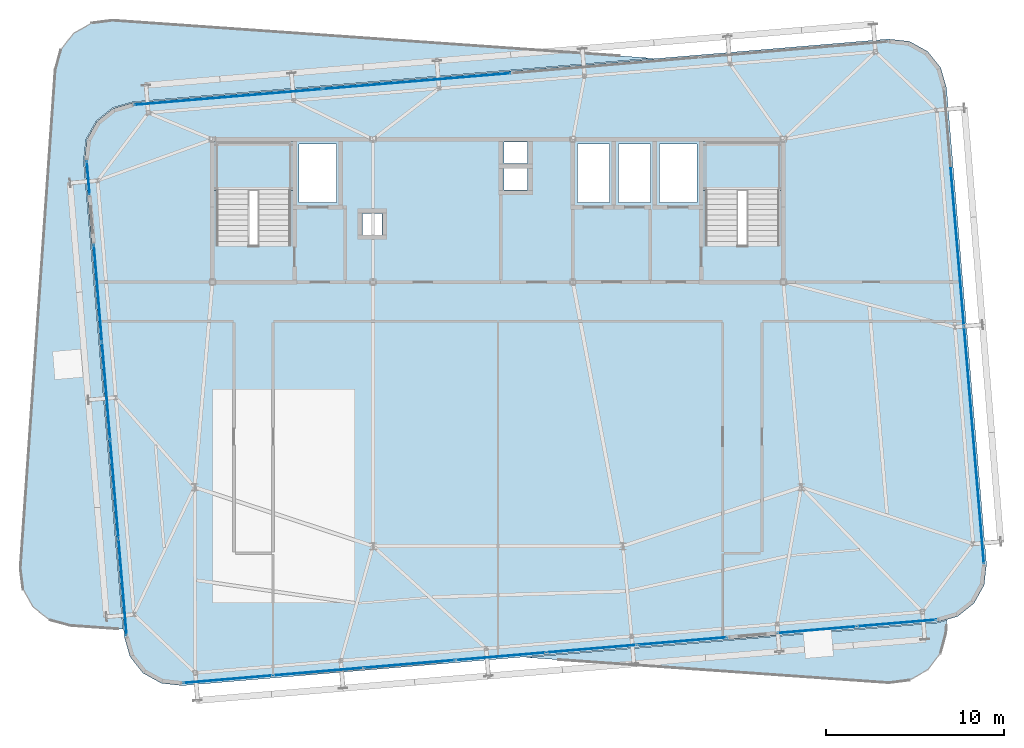
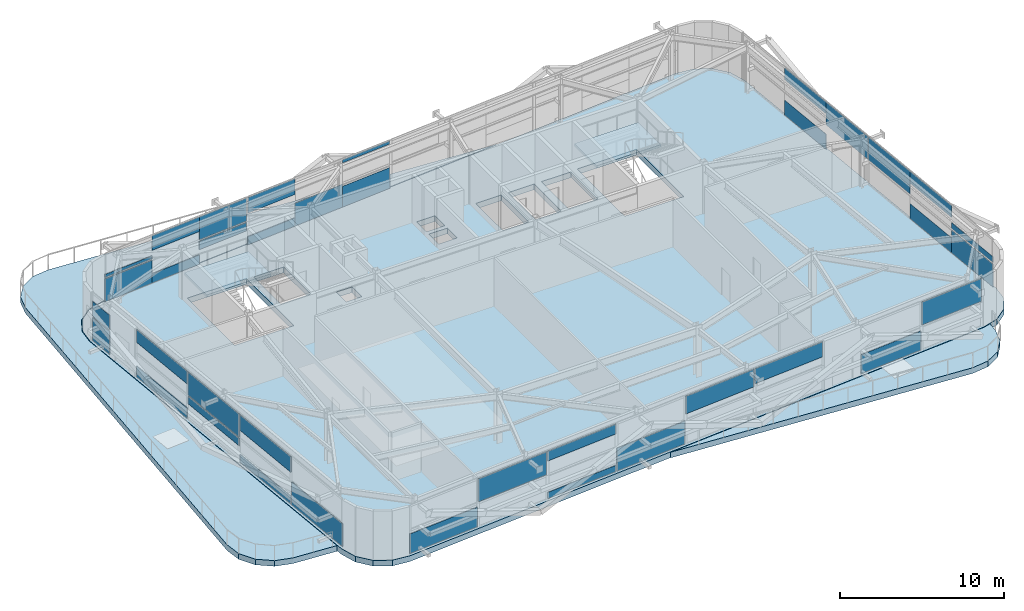
# One storey, part 23 of 38: 37 plates, 5 slabs, 14 elements without a shape of their own.
"""IFC4 building model written with IfcOpenShell, lengths in metres."""

from ifc_helpers import new_model, si_unit, direction, frame, origin, origin_2d, place, context, subcontext, project, spatial, polyline, rectangle, outline, extrude, source, transform, mapped, material, layer, layer_set, type_object, element, aggregate, save


model = new_model("IFC4")

# Units and contexts
model_context = context("Model", 3, precision=1e-05, world=origin(), true_north=direction((0.0, 1.0)))
body_context = subcontext(model_context, "Body", "Model", "MODEL_VIEW")
ifc_project = project(units=[si_unit("LENGTHUNIT", "METRE"), si_unit("AREAUNIT", "SQUARE_METRE"), si_unit("VOLUMEUNIT", "CUBIC_METRE"), si_unit("PLANEANGLEUNIT", "RADIAN"), si_unit("MASSUNIT", "GRAM", prefix="KILO")], contexts=[model_context])

# Site, building, storey
site_placement = place(None, origin())
site = spatial("IfcSite", under=ifc_project, at=site_placement, CompositionType="ELEMENT")
building_placement = place(site_placement, origin())
building = spatial("IfcBuilding", under=site, at=building_placement, Name="Taldren Reach Tower", CompositionType="ELEMENT")
storey_placement = place(building_placement, frame((0.0, 0.0, 168.699951171875)))
storey = spatial("IfcBuildingStorey", under=building, at=storey_placement, Name="L51", CompositionType="ELEMENT", Elevation=168.699951171875)

# Stair, slab
ifc_material_1 = material(Name="Concrete S50 (50 MPa)", Category="concrete")
stair_type = type_object("IfcStairType", Name="ST-HT-385", PredefinedType="HALF_TURN_STAIR", material=ifc_material_1)
stair_1_placement = place(storey_placement, origin())
stair_1 = element("IfcStair", 1, at=stair_1_placement, inside=storey, type_object=stair_type, Name="Fire-isolated exit stair ST1 L51", PredefinedType="HALF_TURN_STAIR")
ifc_layer_1 = layer(ifc_material_1, 0.179931640625)
ifc_layer_set_1 = layer_set([ifc_layer_1], Name="Concrete S50 (50 MPa)")
slab_type_1 = type_object("IfcSlabType", Name="SL-LAND-180", PredefinedType="LANDING", material=ifc_layer_set_1)
slab_1_placement = place(storey_placement, frame((0.0, 0.0, 1.7451171875)))
slab_1 = element("IfcSlab", 2, at=slab_1_placement, type_object=slab_type_1, Name="ST1 landing 1", PredefinedType="LANDING", context=body_context, shape_type="SweptSolid", body=[
    extrude(outline(polyline([(19.0400390625, 29.135009765625), (23.56005859375, 29.135009765625), (23.56005859375, 31.8701171875), (19.0400390625, 31.8701171875), (19.0400390625, 29.135009765625)])), origin(), (0.0, 0.0, 1.0), 0.179931640625),
])
aggregate(stair_1, [slab_1])

stair_2_placement = place(storey_placement, origin())
stair_2 = element("IfcStair", 3, at=stair_2_placement, inside=storey, type_object=stair_type, Name="Fire-isolated exit stair ST2 L51", PredefinedType="HALF_TURN_STAIR")
slab_2_placement = place(storey_placement, frame((0.0, 0.0, 1.7451171875)))
slab_2 = element("IfcSlab", 4, at=slab_2_placement, type_object=slab_type_1, Name="ST2 landing 1", PredefinedType="LANDING", context=body_context, shape_type="SweptSolid", body=[
    extrude(outline(polyline([(46.43994140625, 29.135009765625), (50.9599609375, 29.135009765625), (50.9599609375, 31.8701171875), (46.43994140625, 31.8701171875), (46.43994140625, 29.135009765625)])), origin(), (0.0, 0.0, 1.0), 0.179931640625),
])
aggregate(stair_2, [slab_2])

# Slabs
ifc_layer_2 = layer(ifc_material_1, 0.419921875)
ifc_layer_set_2 = layer_set([ifc_layer_2], Name="Concrete S50 (50 MPa)")
slab_type_2 = type_object("IfcSlabType", Name="SL-TERR-420", PredefinedType="FLOOR", material=ifc_layer_set_2)
slab_3_placement = place(storey_placement, frame((0.0, 0.0, -0.419921875)))
element("IfcSlab", 5, at=slab_3_placement, inside=storey, type_object=slab_type_2, Name="Planted setback sky terrace L51-1", PredefinedType="FLOOR", context=body_context, shape_type="SweptSolid", body=[
    extrude(outline(polyline([(9.890869140625, 5.0537109375), (8.96533203125, 5.770263671875), (8.384521484375, 6.78662109375), (8.23681640625, 7.94775390625), (10.18994140625, 35.879638671875), (10.497802734375, 37.0087890625), (11.21435546875, 37.934326171875), (12.230712890625, 38.515380859375), (13.391845703125, 38.6630859375), (43.71044921875, 36.54296875), (14.5498046875, 34.09423828125), (14.546875, 34.09375), (14.5439453125, 34.09326171875), (13.4189453125, 33.76953125), (13.416259765625, 33.7685546875), (13.41357421875, 33.767333984375), (13.410888671875, 33.765869140625), (13.40869140625, 33.76416015625), (12.4931640625, 33.03466796875), (12.490966796875, 33.03271484375), (12.489013671875, 33.030517578125), (12.487060546875, 33.0283203125), (12.485595703125, 33.025634765625), (11.9189453125, 32.00146484375), (11.917724609375, 31.998779296875), (11.916748046875, 31.99609375), (11.916015625, 31.9931640625), (11.91552734375, 31.990234375), (11.783935546875, 30.8271484375), (11.78369140625, 30.82421875), (11.783935546875, 30.8212890625), (13.990966796875, 4.5380859375), (11.020263671875, 4.745849609375), (9.890869140625, 5.0537109375)])), origin(), (0.0, 0.0, 1.0), 0.419921875),
])
slab_4_placement = place(storey_placement, frame((0.0, 0.0, -0.419921875)))
element("IfcSlab", 6, at=slab_4_placement, inside=storey, type_object=slab_type_2, Name="Planted setback sky terrace L51-2", PredefinedType="FLOOR", context=body_context, shape_type="SweptSolid", body=[
    extrude(outline(polyline([(59.80224609375, 3.191162109375), (59.08544921875, 2.265625), (58.0693359375, 1.684814453125), (56.908203125, 1.537109375), (36.514892578125, 2.963134765625), (59.650390625, 4.90576171875), (59.6533203125, 4.90625), (59.656005859375, 4.90673828125), (60.1611328125, 5.05224609375), (60.110107421875, 4.3203125), (59.80224609375, 3.191162109375)])), origin(), (0.0, 0.0, 1.0), 0.419921875),
])
ifc_material_2 = material(Name="Concrete S65 (65 MPa)", Category="concrete")
ifc_layer_3 = layer(ifc_material_2, 0.419921875)
ifc_layer_set_3 = layer_set([ifc_layer_3], Name="Concrete S65 (65 MPa)")
slab_type_3 = type_object("IfcSlabType", Name="SL-TRANS-420", PredefinedType="FLOOR", material=ifc_layer_set_3)
slab_5_placement = place(storey_placement, frame((0.0, 0.0, -0.419921875)))
element("IfcSlab", 7, at=slab_5_placement, inside=storey, type_object=slab_type_3, Name="Suspended floor slab L51", PredefinedType="FLOOR", context=body_context, shape_type="SweptSolid", body=[
    extrude(outline(polyline([(59.647705078125, 4.935791015625), (60.772705078125, 5.25927734375), (61.688232421875, 5.98876953125), (62.254638671875, 7.012939453125), (62.38623046875, 8.17626953125), (60.1435546875, 34.882080078125), (59.820068359375, 36.007080078125), (59.090576171875, 36.922607421875), (58.06640625, 37.4892578125), (56.903076171875, 37.62060546875), (14.55224609375, 34.064208984375), (13.42724609375, 33.74072265625), (12.511962890625, 33.01123046875), (11.9453125, 31.987060546875), (11.813720703125, 30.82373046875), (14.056396484375, 4.117919921875), (14.3798828125, 2.992919921875), (15.109375, 2.077392578125), (16.1337890625, 1.5107421875), (17.296875, 1.37939453125), (59.647705078125, 4.935791015625)]), holes=[polyline([(19.219970703125, 26.050048828125), (23.3798828125, 26.050048828125), (23.3798828125, 31.820068359375), (19.219970703125, 31.820068359375), (19.219970703125, 26.050048828125)]), polyline([(46.6201171875, 26.050048828125), (50.780029296875, 26.050048828125), (50.780029296875, 31.820068359375), (46.6201171875, 31.820068359375), (46.6201171875, 26.050048828125)]), polyline([(23.85009765625, 28.449951171875), (25.949951171875, 28.449951171875), (25.949951171875, 31.75), (23.85009765625, 31.75), (23.85009765625, 28.449951171875)]), polyline([(44.050048828125, 28.449951171875), (46.14990234375, 28.449951171875), (46.14990234375, 31.75), (44.050048828125, 31.75), (44.050048828125, 28.449951171875)]), polyline([(39.449951171875, 28.449951171875), (41.25, 28.449951171875), (41.25, 31.75), (39.449951171875, 31.75), (39.449951171875, 28.449951171875)]), polyline([(41.75, 28.449951171875), (43.550048828125, 28.449951171875), (43.550048828125, 31.75), (41.75, 31.75), (41.75, 28.449951171875)]), polyline([(35.35009765625, 30.64990234375), (36.64990234375, 30.64990234375), (36.64990234375, 31.85009765625), (35.35009765625, 31.85009765625), (35.35009765625, 30.64990234375)]), polyline([(35.35009765625, 29.14990234375), (36.64990234375, 29.14990234375), (36.64990234375, 30.35009765625), (35.35009765625, 30.35009765625), (35.35009765625, 29.14990234375)]), polyline([(27.39990234375, 26.64990234375), (28.5, 26.64990234375), (28.5, 27.85009765625), (27.39990234375, 27.85009765625), (27.39990234375, 26.64990234375)])]), origin(), (0.0, 0.0, 1.0), 0.419921875),
])

# Curtain wall, plate
ifc_material_3 = material(Name="Aluminium and Low-E Glass Unitised System", Category="aluminium")
ifc_layer_4 = layer(ifc_material_3, 0.159912109375)
ifc_layer_set_4 = layer_set([ifc_layer_4], Name="Aluminium and Low-E Glass Unitised System")
curtain_wall_type = type_object("IfcCurtainWallType", Name="CW-SYS-7", PredefinedType="NOTDEFINED", material=ifc_layer_set_4)
curtain_wall_1_placement = place(storey_placement, origin())
curtain_wall_1 = element("IfcCurtainWall", 8, at=curtain_wall_1_placement, inside=storey, type_object=curtain_wall_type, Name="Unitised curtain wall CW-L51-S1", PredefinedType="NOTDEFINED")
ifc_material_4 = material(Name="Acoustic Triple-Laminated IGU", Category="glass")
ifc_layer_5 = layer(ifc_material_4, 0.035888671875)
ifc_layer_set_5 = layer_set([ifc_layer_5], Name="Acoustic Triple-Laminated IGU")
plate_type = type_object("IfcPlateType", Name="CW-PNL-IGU36", PredefinedType="CURTAIN_PANEL", material=ifc_layer_set_5)
shared_shape_1 = source(origin(), body_context, "Body", "SweptSolid", [
    extrude(rectangle(XDim=5.0478515625, YDim=0.035888671875, at=origin_2d()), origin(), (0.0, 0.0, 1.0), 1.695068359375),
])
plate_1_placement = place(storey_placement, frame((35.15234375, 3.019287109375, 0.06005859375), z_axis=(0.0, 0.0, 1.0), x_axis=(0.996492853205, 0.083677915318, 0.0)))
plate_1 = element("IfcPlate", 9, at=plate_1_placement, type_object=plate_type, Name="CW-7 panel 4.1", PredefinedType="CURTAIN_PANEL", context=body_context, shape_type="MappedRepresentation", body=[
    mapped(shared_shape_1, transform((0.0, 0.0, 0.0), scale=1.0)),
])

curtain_wall_2_placement = place(storey_placement, origin())
curtain_wall_2 = element("IfcCurtainWall", 10, at=curtain_wall_2_placement, inside=storey, type_object=curtain_wall_type, Name="Unitised curtain wall CW-L51-S1-T2", PredefinedType="NOTDEFINED")
plate_2_placement = place(storey_placement, frame((24.942626953125, 2.161865234375, 1.875), z_axis=(0.0, 0.0, 1.0), x_axis=(0.996492853205, 0.083677915318, 0.0)))
plate_2 = element("IfcPlate", 11, at=plate_2_placement, type_object=plate_type, Name="CW-7 panel 2.1", PredefinedType="CURTAIN_PANEL", context=body_context, shape_type="MappedRepresentation", body=[
    mapped(shared_shape_1, transform((0.0, 0.0, 0.0), scale=1.0)),
])

curtain_wall_3_placement = place(storey_placement, origin())
curtain_wall_3 = element("IfcCurtainWall", 12, at=curtain_wall_3_placement, inside=storey, type_object=curtain_wall_type, Name="Unitised curtain wall CW-L51-S2-T2", PredefinedType="NOTDEFINED")
shared_shape_2 = source(origin(), body_context, "Body", "SweptSolid", [
    extrude(rectangle(XDim=4.418701171875, YDim=0.035888671875, at=origin_2d()), origin(), (0.0, 0.0, 1.0), 1.695068359375),
])
plate_3_placement = place(storey_placement, frame((57.359619140625, 4.884033203125, 1.875), z_axis=(0.0, 0.0, 1.0), x_axis=(0.996492858388, 0.083677853594, 0.0)))
plate_3 = element("IfcPlate", 13, at=plate_3_placement, type_object=plate_type, Name="CW-7 panel 2.1", PredefinedType="CURTAIN_PANEL", context=body_context, shape_type="MappedRepresentation", body=[
    mapped(shared_shape_2, transform((0.0, 0.0, 0.0), scale=1.0)),
])
aggregate(curtain_wall_3, [plate_3])

curtain_wall_4_placement = place(storey_placement, origin())
curtain_wall_4 = element("IfcCurtainWall", 14, at=curtain_wall_4_placement, inside=storey, type_object=curtain_wall_type, Name="Unitised curtain wall CW-L51-W1", PredefinedType="NOTDEFINED")
shared_shape_3 = source(origin(), body_context, "Body", "SweptSolid", [
    extrude(rectangle(XDim=1.85009765625, YDim=0.035888671875, at=origin_2d()), origin(), (0.0, 0.0, 1.0), 1.695068359375),
])
plate_4_placement = place(storey_placement, frame((12.036865234375, 29.839111328125, 0.06005859375), z_axis=(0.0, 0.0, 1.0), x_axis=(0.083680223317, -0.996492659394, 0.0)))
plate_4 = element("IfcPlate", 15, at=plate_4_placement, type_object=plate_type, Name="CW-7 panel 1.1", PredefinedType="CURTAIN_PANEL", context=body_context, shape_type="MappedRepresentation", body=[
    mapped(shared_shape_3, transform((0.0, 0.0, 0.0), scale=1.0)),
])
aggregate(curtain_wall_4, [plate_4])

curtain_wall_5_placement = place(storey_placement, origin())
curtain_wall_5 = element("IfcCurtainWall", 16, at=curtain_wall_5_placement, inside=storey, type_object=curtain_wall_type, Name="Unitised curtain wall CW-L51-W2", PredefinedType="NOTDEFINED")
shared_shape_4 = source(origin(), body_context, "Body", "SweptSolid", [
    extrude(rectangle(XDim=5.41259765625, YDim=0.035888671875, at=origin_2d()), origin(), (0.0, 0.0, 1.0), 1.695068359375),
])
plate_5_placement = place(storey_placement, frame((13.963134765625, 6.901123046875, 0.06005859375), z_axis=(0.0, 0.0, 1.0), x_axis=(0.083677836428, -0.996492859829, 0.0)))
plate_5 = element("IfcPlate", 17, at=plate_5_placement, type_object=plate_type, Name="CW-7 panel 4.1", PredefinedType="CURTAIN_PANEL", context=body_context, shape_type="MappedRepresentation", body=[
    mapped(shared_shape_4, transform((0.0, 0.0, 0.0), scale=1.0)),
])

curtain_wall_6_placement = place(storey_placement, origin())
curtain_wall_6 = element("IfcCurtainWall", 18, at=curtain_wall_6_placement, inside=storey, type_object=curtain_wall_type, Name="Unitised curtain wall CW-L51-W2-T2", PredefinedType="NOTDEFINED")
shared_shape_5 = source(origin(), body_context, "Body", "SweptSolid", [
    extrude(rectangle(XDim=5.449951171875, YDim=0.035888671875, at=origin_2d()), origin(), (0.0, 0.0, 1.0), 1.695068359375),
])
plate_6_placement = place(storey_placement, frame((13.0400390625, 17.8935546875, 1.875), z_axis=(0.0, 0.0, 1.0), x_axis=(0.083677836428, -0.996492859829, 0.0)))
plate_6 = element("IfcPlate", 19, at=plate_6_placement, type_object=plate_type, Name="CW-7 panel 2.1", PredefinedType="CURTAIN_PANEL", context=body_context, shape_type="MappedRepresentation", body=[
    mapped(shared_shape_5, transform((0.0, 0.0, 0.0), scale=1.0)),
])

# Plate
shared_shape_6 = source(origin(), body_context, "Body", "SweptSolid", [
    extrude(rectangle(XDim=5.010498046875, YDim=0.035888671875, at=origin_2d()), origin(), (0.0, 0.0, 1.0), 1.452392578125),
])
plate_7_placement = place(storey_placement, frame((19.856201171875, 1.73486328125, 0.06005859375), z_axis=(0.0, 0.0, 1.0), x_axis=(0.996492853205, 0.083677915318, 0.0)))
plate_7 = element("IfcPlate", 20, at=plate_7_placement, type_object=plate_type, Name="CW-7 panel 1.1 part 1", PredefinedType="CURTAIN_PANEL", context=body_context, shape_type="MappedRepresentation", body=[
    mapped(shared_shape_6, transform((0.0, 0.0, 0.0), scale=1.0)),
])

shared_shape_7 = source(origin(), body_context, "Body", "SweptSolid", [
    extrude(rectangle(XDim=5.0478515625, YDim=0.035888671875, at=origin_2d()), origin(), (0.0, 0.0, 1.0), 0.4609375),
])
plate_8_placement = place(storey_placement, frame((30.047607421875, 2.590576171875, 0.06005859375), z_axis=(0.0, 0.0, 1.0), x_axis=(0.996492853205, 0.083677915318, 0.0)))
plate_8 = element("IfcPlate", 21, at=plate_8_placement, type_object=plate_type, Name="CW-7 panel 3.1 part 1", PredefinedType="CURTAIN_PANEL", context=body_context, shape_type="MappedRepresentation", body=[
    mapped(shared_shape_7, transform((0.0, 0.0, 0.0), scale=1.0)),
])

aggregate(curtain_wall_1, [plate_1, plate_7, plate_8])

shared_shape_8 = source(origin(), body_context, "Body", "SweptSolid", [
    extrude(rectangle(XDim=5.0478515625, YDim=0.035888671875, at=origin_2d()), origin(), (0.0, 0.0, 1.0), 0.721923828125),
])
plate_9_placement = place(storey_placement, frame((30.047607421875, 2.590576171875, 2.84814453125), z_axis=(0.0, 0.0, 1.0), x_axis=(0.996492853205, 0.083677915318, 0.0)))
plate_9 = element("IfcPlate", 22, at=plate_9_placement, type_object=plate_type, Name="CW-7 panel 3.1 part 1", PredefinedType="CURTAIN_PANEL", context=body_context, shape_type="MappedRepresentation", body=[
    mapped(shared_shape_8, transform((0.0, 0.0, 0.0), scale=1.0)),
])

shared_shape_9 = source(origin(), body_context, "Body", "SweptSolid", [
    extrude(rectangle(XDim=5.0478515625, YDim=0.035888671875, at=origin_2d()), origin(), (0.0, 0.0, 1.0), 1.3115234375),
])
plate_10_placement = place(storey_placement, frame((40.25732421875, 3.447998046875, 2.258544921875), z_axis=(0.0, 0.0, 1.0), x_axis=(0.996492853205, 0.083677915318, 0.0)))
plate_10 = element("IfcPlate", 23, at=plate_10_placement, type_object=plate_type, Name="CW-7 panel 5.1 part 1", PredefinedType="CURTAIN_PANEL", context=body_context, shape_type="MappedRepresentation", body=[
    mapped(shared_shape_9, transform((0.0, 0.0, 0.0), scale=1.0)),
])

shared_shape_10 = source(origin(), body_context, "Body", "SweptSolid", [
    extrude(rectangle(XDim=5.010498046875, YDim=0.035888671875, at=origin_2d()), origin(), (0.0, 0.0, 1.0), 1.11572265625),
])
plate_11_placement = place(storey_placement, frame((45.34375, 3.875, 2.454345703125), z_axis=(0.0, 0.0, 1.0), x_axis=(0.996492853205, 0.083677915318, 0.0)))
plate_11 = element("IfcPlate", 24, at=plate_11_placement, type_object=plate_type, Name="CW-7 panel 6.1 part 1", PredefinedType="CURTAIN_PANEL", context=body_context, shape_type="MappedRepresentation", body=[
    mapped(shared_shape_10, transform((0.0, 0.0, 0.0), scale=1.0)),
])

aggregate(curtain_wall_2, [plate_2, plate_9, plate_10, plate_11])

# Curtain wall, plate
curtain_wall_7_placement = place(storey_placement, origin())
curtain_wall_7 = element("IfcCurtainWall", 25, at=curtain_wall_7_placement, inside=storey, type_object=curtain_wall_type, Name="Unitised curtain wall CW-L51-S2", PredefinedType="NOTDEFINED")
shared_shape_11 = source(origin(), body_context, "Body", "SweptSolid", [
    extrude(rectangle(XDim=4.418701171875, YDim=0.035888671875, at=origin_2d()), origin(), (0.0, 0.0, 1.0), 1.404296875),
])
plate_12_placement = place(storey_placement, frame((52.8818359375, 4.508056640625, 0.06005859375), z_axis=(0.0, 0.0, 1.0), x_axis=(0.996492858388, 0.083677853594, 0.0)))
plate_12 = element("IfcPlate", 26, at=plate_12_placement, type_object=plate_type, Name="CW-7 panel 1.1 part 1", PredefinedType="CURTAIN_PANEL", context=body_context, shape_type="MappedRepresentation", body=[
    mapped(shared_shape_11, transform((0.0, 0.0, 0.0), scale=1.0)),
])
aggregate(curtain_wall_7, [plate_12])

curtain_wall_8_placement = place(storey_placement, origin())
curtain_wall_8 = element("IfcCurtainWall", 27, at=curtain_wall_8_placement, inside=storey, type_object=curtain_wall_type, Name="Unitised curtain wall CW-L51-N", PredefinedType="NOTDEFINED")
shared_shape_12 = source(origin(), body_context, "Body", "SweptSolid", [
    extrude(rectangle(XDim=3.504150390625, YDim=0.035888671875, at=origin_2d()), origin(), (0.0, 0.0, 1.0), 1.695068359375),
])
plate_13_placement = place(storey_placement, frame((16.384521484375, 34.07763671875, 0.06005859375), z_axis=(0.0, 0.0, 1.0), x_axis=(-0.99649285657, -0.083677875247, 0.0)))
plate_13 = element("IfcPlate", 28, at=plate_13_placement, type_object=plate_type, Name="CW-7 panel 4.1 part 3", PredefinedType="CURTAIN_PANEL", context=body_context, shape_type="MappedRepresentation", body=[
    mapped(shared_shape_12, transform((0.0, 0.0, 0.0), scale=1.0)),
])

curtain_wall_9_placement = place(storey_placement, origin())
curtain_wall_9 = element("IfcCurtainWall", 29, at=curtain_wall_9_placement, inside=storey, type_object=curtain_wall_type, Name="Unitised curtain wall CW-L51-N-T2", PredefinedType="NOTDEFINED")
plate_14_placement = place(storey_placement, frame((23.368408203125, 34.6640625, 1.875), z_axis=(0.0, 0.0, 1.0), x_axis=(-0.99649285657, -0.083677875247, 0.0)))
plate_14 = element("IfcPlate", 30, at=plate_14_placement, type_object=plate_type, Name="CW-7 panel 4.1 part 1", PredefinedType="CURTAIN_PANEL", context=body_context, shape_type="MappedRepresentation", body=[
    mapped(shared_shape_12, transform((0.0, 0.0, 0.0), scale=1.0)),
])

# Plate
shared_shape_13 = source(origin(), body_context, "Body", "SweptSolid", [
    extrude(rectangle(XDim=3.5166015625, YDim=0.035888671875, at=origin_2d()), origin(), (0.0, 0.0, 1.0), 1.54150390625),
])
plate_15_placement = place(storey_placement, frame((33.949951171875, 35.552734375, 0.06005859375), z_axis=(0.0, 0.0, 1.0), x_axis=(-0.99649285657, -0.083677875247, 0.0)))
plate_15 = element("IfcPlate", 31, at=plate_15_placement, type_object=plate_type, Name="CW-7 panel 3.1 part 1", PredefinedType="CURTAIN_PANEL", context=body_context, shape_type="MappedRepresentation", body=[
    mapped(shared_shape_13, transform((0.0, 0.0, 0.0), scale=1.0)),
])

shared_shape_14 = source(origin(), body_context, "Body", "SweptSolid", [
    extrude(rectangle(XDim=3.5166015625, YDim=0.035888671875, at=origin_2d()), origin(), (0.0, 0.0, 1.0), 1.695068359375),
])
plate_16_placement = place(storey_placement, frame((30.445556640625, 35.258544921875, 0.06005859375), z_axis=(0.0, 0.0, 1.0), x_axis=(-0.99649285657, -0.083677875247, 0.0)))
plate_16 = element("IfcPlate", 32, at=plate_16_placement, type_object=plate_type, Name="CW-7 panel 3.1 part 2", PredefinedType="CURTAIN_PANEL", context=body_context, shape_type="MappedRepresentation", body=[
    mapped(shared_shape_14, transform((0.0, 0.0, 0.0), scale=1.0)),
])

shared_shape_15 = source(origin(), body_context, "Body", "SweptSolid", [
    extrude(rectangle(XDim=3.5166015625, YDim=0.035888671875, at=origin_2d()), origin(), (0.0, 0.0, 1.0), 0.60595703125),
])
plate_17_placement = place(storey_placement, frame((26.941162109375, 34.964111328125, 0.06005859375), z_axis=(0.0, 0.0, 1.0), x_axis=(-0.99649285657, -0.083677875247, 0.0)))
plate_17 = element("IfcPlate", 33, at=plate_17_placement, type_object=plate_type, Name="CW-7 panel 3.1 part 3", PredefinedType="CURTAIN_PANEL", context=body_context, shape_type="MappedRepresentation", body=[
    mapped(shared_shape_15, transform((0.0, 0.0, 0.0), scale=1.0)),
])

shared_shape_16 = source(origin(), body_context, "Body", "SweptSolid", [
    extrude(rectangle(XDim=3.504150390625, YDim=0.035888671875, at=origin_2d()), origin(), (0.0, 0.0, 1.0), 0.611572265625),
])
plate_18_placement = place(storey_placement, frame((23.368408203125, 34.6640625, 1.1435546875), z_axis=(0.0, 0.0, 1.0), x_axis=(-0.99649285657, -0.083677875247, 0.0)))
plate_18 = element("IfcPlate", 34, at=plate_18_placement, type_object=plate_type, Name="CW-7 panel 4.1 part 1", PredefinedType="CURTAIN_PANEL", context=body_context, shape_type="MappedRepresentation", body=[
    mapped(shared_shape_16, transform((0.0, 0.0, 0.0), scale=1.0)),
])

shared_shape_17 = source(origin(), body_context, "Body", "SweptSolid", [
    extrude(rectangle(XDim=3.504150390625, YDim=0.035888671875, at=origin_2d()), origin(), (0.0, 0.0, 1.0), 0.68798828125),
])
plate_19_placement = place(storey_placement, frame((19.87646484375, 34.370849609375, 0.06005859375), z_axis=(0.0, 0.0, 1.0), x_axis=(-0.99649285657, -0.083677875247, 0.0)))
plate_19 = element("IfcPlate", 35, at=plate_19_placement, type_object=plate_type, Name="CW-7 panel 4.1 part 2", PredefinedType="CURTAIN_PANEL", context=body_context, shape_type="MappedRepresentation", body=[
    mapped(shared_shape_17, transform((0.0, 0.0, 0.0), scale=1.0)),
])

aggregate(curtain_wall_8, [plate_15, plate_16, plate_17, plate_18, plate_19, plate_13])

shared_shape_18 = source(origin(), body_context, "Body", "SweptSolid", [
    extrude(rectangle(XDim=3.5166015625, YDim=0.035888671875, at=origin_2d()), origin(), (0.0, 0.0, 1.0), 0.227294921875),
])
plate_20_placement = place(storey_placement, frame((33.949951171875, 35.552734375, 3.3427734375), z_axis=(0.0, 0.0, 1.0), x_axis=(-0.99649285657, -0.083677875247, 0.0)))
plate_20 = element("IfcPlate", 36, at=plate_20_placement, type_object=plate_type, Name="CW-7 panel 3.1 part 1", PredefinedType="CURTAIN_PANEL", context=body_context, shape_type="MappedRepresentation", body=[
    mapped(shared_shape_18, transform((0.0, 0.0, 0.0), scale=1.0)),
])

shared_shape_19 = source(origin(), body_context, "Body", "SweptSolid", [
    extrude(rectangle(XDim=3.5166015625, YDim=0.035888671875, at=origin_2d()), origin(), (0.0, 0.0, 1.0), 1.162841796875),
])
plate_21_placement = place(storey_placement, frame((26.941162109375, 34.964111328125, 2.4072265625), z_axis=(0.0, 0.0, 1.0), x_axis=(-0.99649285657, -0.083677875247, 0.0)))
plate_21 = element("IfcPlate", 37, at=plate_21_placement, type_object=plate_type, Name="CW-7 panel 3.1 part 2", PredefinedType="CURTAIN_PANEL", context=body_context, shape_type="MappedRepresentation", body=[
    mapped(shared_shape_19, transform((0.0, 0.0, 0.0), scale=1.0)),
])

shared_shape_20 = source(origin(), body_context, "Body", "SweptSolid", [
    extrude(rectangle(XDim=3.504150390625, YDim=0.035888671875, at=origin_2d()), origin(), (0.0, 0.0, 1.0), 1.085693359375),
])
plate_22_placement = place(storey_placement, frame((19.87646484375, 34.370849609375, 2.484375), z_axis=(0.0, 0.0, 1.0), x_axis=(-0.99649285657, -0.083677875247, 0.0)))
plate_22 = element("IfcPlate", 38, at=plate_22_placement, type_object=plate_type, Name="CW-7 panel 4.1 part 2", PredefinedType="CURTAIN_PANEL", context=body_context, shape_type="MappedRepresentation", body=[
    mapped(shared_shape_20, transform((0.0, 0.0, 0.0), scale=1.0)),
])

shared_shape_21 = source(origin(), body_context, "Body", "SweptSolid", [
    extrude(rectangle(XDim=3.504150390625, YDim=0.035888671875, at=origin_2d()), origin(), (0.0, 0.0, 1.0), 0.2138671875),
])
plate_23_placement = place(storey_placement, frame((16.384521484375, 34.07763671875, 1.875), z_axis=(0.0, 0.0, 1.0), x_axis=(-0.99649285657, -0.083677875247, 0.0)))
plate_23 = element("IfcPlate", 39, at=plate_23_placement, type_object=plate_type, Name="CW-7 panel 4.1 part 3", PredefinedType="CURTAIN_PANEL", context=body_context, shape_type="MappedRepresentation", body=[
    mapped(shared_shape_21, transform((0.0, 0.0, 0.0), scale=1.0)),
])

aggregate(curtain_wall_9, [plate_20, plate_21, plate_14, plate_22, plate_23])

# Curtain wall, plate
curtain_wall_10_placement = place(storey_placement, origin())
curtain_wall_10 = element("IfcCurtainWall", 40, at=curtain_wall_10_placement, inside=storey, type_object=curtain_wall_type, Name="Unitised curtain wall CW-L51-W1-T2", PredefinedType="NOTDEFINED")
shared_shape_22 = source(origin(), body_context, "Body", "SweptSolid", [
    extrude(rectangle(XDim=1.85009765625, YDim=0.035888671875, at=origin_2d()), origin(), (0.0, 0.0, 1.0), 1.09814453125),
])
plate_24_placement = place(storey_placement, frame((12.036865234375, 29.839111328125, 1.875), z_axis=(0.0, 0.0, 1.0), x_axis=(0.083680223317, -0.996492659394, 0.0)))
plate_24 = element("IfcPlate", 41, at=plate_24_placement, type_object=plate_type, Name="CW-7 panel 1.1 part 1", PredefinedType="CURTAIN_PANEL", context=body_context, shape_type="MappedRepresentation", body=[
    mapped(shared_shape_22, transform((0.0, 0.0, 0.0), scale=1.0)),
])
aggregate(curtain_wall_10, [plate_24])

# Plate
shared_shape_23 = source(origin(), body_context, "Body", "SweptSolid", [
    extrude(rectangle(XDim=5.41259765625, YDim=0.035888671875, at=origin_2d()), origin(), (0.0, 0.0, 1.0), 0.79345703125),
])
plate_25_placement = place(storey_placement, frame((12.579345703125, 23.380615234375, 0.06005859375), z_axis=(0.0, 0.0, 1.0), x_axis=(0.083677836428, -0.996492859829, 0.0)))
plate_25 = element("IfcPlate", 42, at=plate_25_placement, type_object=plate_type, Name="CW-7 panel 1.1 part 1", PredefinedType="CURTAIN_PANEL", context=body_context, shape_type="MappedRepresentation", body=[
    mapped(shared_shape_23, transform((0.0, 0.0, 0.0), scale=1.0)),
])

shared_shape_24 = source(origin(), body_context, "Body", "SweptSolid", [
    extrude(rectangle(XDim=5.449951171875, YDim=0.035888671875, at=origin_2d()), origin(), (0.0, 0.0, 1.0), 0.539306640625),
])
plate_26_placement = place(storey_placement, frame((13.0400390625, 17.8935546875, 1.2158203125), z_axis=(0.0, 0.0, 1.0), x_axis=(0.083677836428, -0.996492859829, 0.0)))
plate_26 = element("IfcPlate", 43, at=plate_26_placement, type_object=plate_type, Name="CW-7 panel 2.1 part 1", PredefinedType="CURTAIN_PANEL", context=body_context, shape_type="MappedRepresentation", body=[
    mapped(shared_shape_24, transform((0.0, 0.0, 0.0), scale=1.0)),
])

shared_shape_25 = source(origin(), body_context, "Body", "SweptSolid", [
    extrude(rectangle(XDim=5.449951171875, YDim=0.035888671875, at=origin_2d()), origin(), (0.0, 0.0, 1.0), 0.581787109375),
])
plate_27_placement = place(storey_placement, frame((13.50244140625, 12.387939453125, 0.06005859375), z_axis=(0.0, 0.0, 1.0), x_axis=(0.083677836428, -0.996492859829, 0.0)))
plate_27 = element("IfcPlate", 44, at=plate_27_placement, type_object=plate_type, Name="CW-7 panel 3.1 part 1", PredefinedType="CURTAIN_PANEL", context=body_context, shape_type="MappedRepresentation", body=[
    mapped(shared_shape_25, transform((0.0, 0.0, 0.0), scale=1.0)),
])

aggregate(curtain_wall_5, [plate_5, plate_25, plate_26, plate_27])

shared_shape_26 = source(origin(), body_context, "Body", "SweptSolid", [
    extrude(rectangle(XDim=5.41259765625, YDim=0.035888671875, at=origin_2d()), origin(), (0.0, 0.0, 1.0), 0.9462890625),
])
plate_28_placement = place(storey_placement, frame((12.579345703125, 23.380615234375, 2.623779296875), z_axis=(0.0, 0.0, 1.0), x_axis=(0.083677836428, -0.996492859829, 0.0)))
plate_28 = element("IfcPlate", 45, at=plate_28_placement, type_object=plate_type, Name="CW-7 panel 1.1 part 1", PredefinedType="CURTAIN_PANEL", context=body_context, shape_type="MappedRepresentation", body=[
    mapped(shared_shape_26, transform((0.0, 0.0, 0.0), scale=1.0)),
])

shared_shape_27 = source(origin(), body_context, "Body", "SweptSolid", [
    extrude(rectangle(XDim=5.449951171875, YDim=0.035888671875, at=origin_2d()), origin(), (0.0, 0.0, 1.0), 1.1484375),
])
plate_29_placement = place(storey_placement, frame((13.50244140625, 12.387939453125, 2.421630859375), z_axis=(0.0, 0.0, 1.0), x_axis=(0.083677836428, -0.996492859829, 0.0)))
plate_29 = element("IfcPlate", 46, at=plate_29_placement, type_object=plate_type, Name="CW-7 panel 3.1 part 1", PredefinedType="CURTAIN_PANEL", context=body_context, shape_type="MappedRepresentation", body=[
    mapped(shared_shape_27, transform((0.0, 0.0, 0.0), scale=1.0)),
])

aggregate(curtain_wall_6, [plate_6, plate_28, plate_29])

# Curtain wall, plate
curtain_wall_11_placement = place(storey_placement, origin())
curtain_wall_11 = element("IfcCurtainWall", 47, at=curtain_wall_11_placement, inside=storey, type_object=curtain_wall_type, Name="Unitised curtain wall CW-L51-E", PredefinedType="NOTDEFINED")
shared_shape_28 = source(origin(), body_context, "Body", "SweptSolid", [
    extrude(rectangle(XDim=4.42919921875, YDim=0.035888671875, at=origin_2d()), origin(), (0.0, 0.0, 1.0), 1.695068359375),
])
plate_30_placement = place(storey_placement, frame((62.05517578125, 10.446044921875, 0.06005859375), z_axis=(0.0, 0.0, 1.0), x_axis=(-0.083677979808, 0.996492847789, 0.0)))
plate_30 = element("IfcPlate", 48, at=plate_30_placement, type_object=plate_type, Name="CW-7 panel 1.1 part 1", PredefinedType="CURTAIN_PANEL", context=body_context, shape_type="MappedRepresentation", body=[
    mapped(shared_shape_28, transform((0.0, 0.0, 0.0), scale=1.0)),
])

# Curtain wall, plates
curtain_wall_12_placement = place(storey_placement, origin())
curtain_wall_12 = element("IfcCurtainWall", 49, at=curtain_wall_12_placement, inside=storey, type_object=curtain_wall_type, Name="Unitised curtain wall CW-L51-E-T2", PredefinedType="NOTDEFINED")
plate_31_placement = place(storey_placement, frame((61.31396484375, 19.273193359375, 1.875), z_axis=(0.0, 0.0, 1.0), x_axis=(-0.083677979808, 0.996492847789, 0.0)))
plate_31 = element("IfcPlate", 50, at=plate_31_placement, type_object=plate_type, Name="CW-7 panel 1.1 part 3", PredefinedType="CURTAIN_PANEL", context=body_context, shape_type="MappedRepresentation", body=[
    mapped(shared_shape_28, transform((0.0, 0.0, 0.0), scale=1.0)),
])
plate_32_placement = place(storey_placement, frame((60.93701171875, 23.76171875, 1.875), z_axis=(0.0, 0.0, 1.0), x_axis=(-0.083677979808, 0.996492847789, 0.0)))
plate_32 = element("IfcPlate", 51, at=plate_32_placement, type_object=plate_type, Name="CW-7 panel 2.1 part 1", PredefinedType="CURTAIN_PANEL", context=body_context, shape_type="MappedRepresentation", body=[
    mapped(shared_shape_28, transform((0.0, 0.0, 0.0), scale=1.0)),
])

# Plate
shared_shape_29 = source(origin(), body_context, "Body", "SweptSolid", [
    extrude(rectangle(XDim=4.42919921875, YDim=0.035888671875, at=origin_2d()), origin(), (0.0, 0.0, 1.0), 1.115234375),
])
plate_33_placement = place(storey_placement, frame((61.6845703125, 14.859619140625, 0.06005859375), z_axis=(0.0, 0.0, 1.0), x_axis=(-0.083677979808, 0.996492847789, 0.0)))
plate_33 = element("IfcPlate", 52, at=plate_33_placement, type_object=plate_type, Name="CW-7 panel 1.1 part 2", PredefinedType="CURTAIN_PANEL", context=body_context, shape_type="MappedRepresentation", body=[
    mapped(shared_shape_29, transform((0.0, 0.0, 0.0), scale=1.0)),
])

plate_34_placement = place(storey_placement, frame((60.56640625, 28.17529296875, 0.06005859375), z_axis=(0.0, 0.0, 1.0), x_axis=(-0.083677979808, 0.996492847789, 0.0)))
plate_34 = element("IfcPlate", 53, at=plate_34_placement, type_object=plate_type, Name="CW-7 panel 2.1 part 1", PredefinedType="CURTAIN_PANEL", context=body_context, shape_type="MappedRepresentation", body=[
    mapped(shared_shape_29, transform((0.0, 0.0, 0.0), scale=1.0)),
])

aggregate(curtain_wall_11, [plate_30, plate_33, plate_34])

shared_shape_30 = source(origin(), body_context, "Body", "SweptSolid", [
    extrude(rectangle(XDim=4.42919921875, YDim=0.035888671875, at=origin_2d()), origin(), (0.0, 0.0, 1.0), 0.4365234375),
])
plate_35_placement = place(storey_placement, frame((62.05517578125, 10.446044921875, 1.875), z_axis=(0.0, 0.0, 1.0), x_axis=(-0.083677979808, 0.996492847789, 0.0)))
plate_35 = element("IfcPlate", 54, at=plate_35_placement, type_object=plate_type, Name="CW-7 panel 1.1 part 1", PredefinedType="CURTAIN_PANEL", context=body_context, shape_type="MappedRepresentation", body=[
    mapped(shared_shape_30, transform((0.0, 0.0, 0.0), scale=1.0)),
])

shared_shape_31 = source(origin(), body_context, "Body", "SweptSolid", [
    extrude(rectangle(XDim=4.42919921875, YDim=0.035888671875, at=origin_2d()), origin(), (0.0, 0.0, 1.0), 0.876953125),
])
plate_36_placement = place(storey_placement, frame((61.6845703125, 14.859619140625, 2.693115234375), z_axis=(0.0, 0.0, 1.0), x_axis=(-0.083677979808, 0.996492847789, 0.0)))
plate_36 = element("IfcPlate", 55, at=plate_36_placement, type_object=plate_type, Name="CW-7 panel 1.1 part 2", PredefinedType="CURTAIN_PANEL", context=body_context, shape_type="MappedRepresentation", body=[
    mapped(shared_shape_31, transform((0.0, 0.0, 0.0), scale=1.0)),
])

plate_37_placement = place(storey_placement, frame((60.56640625, 28.17529296875, 2.693115234375), z_axis=(0.0, 0.0, 1.0), x_axis=(-0.083677979808, 0.996492847789, 0.0)))
plate_37 = element("IfcPlate", 56, at=plate_37_placement, type_object=plate_type, Name="CW-7 panel 2.1 part 2", PredefinedType="CURTAIN_PANEL", context=body_context, shape_type="MappedRepresentation", body=[
    mapped(shared_shape_31, transform((0.0, 0.0, 0.0), scale=1.0)),
])

aggregate(curtain_wall_12, [plate_35, plate_36, plate_31, plate_32, plate_37])

save(model, "model.ifc")
